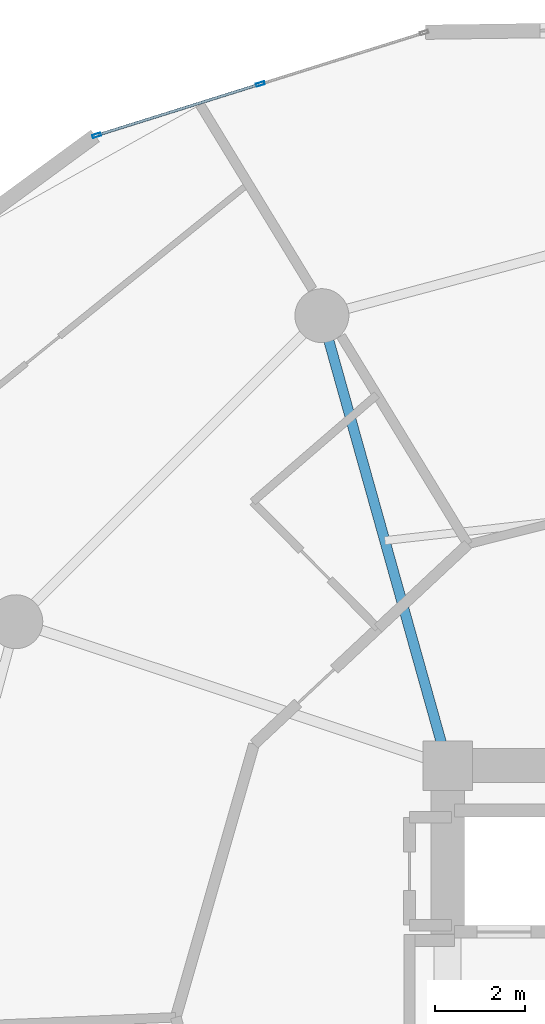
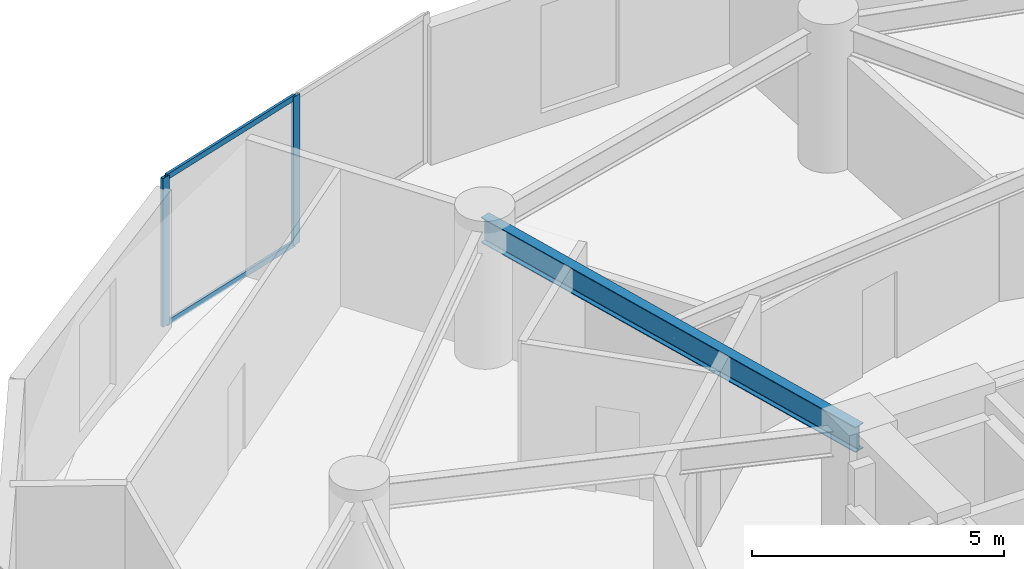
# One storey, part 11 of 22: 4 members, 1 beam, 1 element without a shape of its own.
"""IFC4 building model written with IfcOpenShell, lengths in metres."""

from ifc_helpers import new_model, si_unit, direction, frame, origin, origin_2d, place, context, subcontext, project, spatial, hollow_rectangle, i_section, extrude, source, transform, mapped, material, layer, layer_set, material_profile, profile_set, type_object, element, aggregate, save


model = new_model("IFC4")

# Units and contexts
model_context = context("Model", 3, precision=1e-05, world=origin(), true_north=direction((0.0, 1.0)))
body_context = subcontext(model_context, "Body", "Model", "MODEL_VIEW")
ifc_project = project(units=[si_unit("LENGTHUNIT", "METRE"), si_unit("AREAUNIT", "SQUARE_METRE"), si_unit("VOLUMEUNIT", "CUBIC_METRE"), si_unit("PLANEANGLEUNIT", "RADIAN"), si_unit("MASSUNIT", "GRAM", prefix="KILO")], contexts=[model_context])

# Site, building, storey
site_placement = place(None, origin())
site = spatial("IfcSite", under=ifc_project, at=site_placement, CompositionType="ELEMENT")
building_placement = place(site_placement, origin())
building = spatial("IfcBuilding", under=site, at=building_placement, Name="Solvirekh Grand Hotel", CompositionType="ELEMENT")
storey_placement = place(building_placement, frame((0.0, 0.0, 78.800048828125)))
storey = spatial("IfcBuildingStorey", under=building, at=storey_placement, Name="L19", CompositionType="ELEMENT", Elevation=78.800048828125)

# Beam
ifc_material_1 = material(Name="Steel S355", Category="steel")
ifc_material_profile_1 = material_profile(ifc_material_1, i_section(OverallWidth=0.22802734375, OverallDepth=0.616943359375, WebThickness=0.012939453125, FlangeThickness=0.02001953125, FilletRadius=0.014892578125, at=origin_2d()), Name="W610X140")
ifc_profile_set_1 = profile_set([ifc_material_profile_1], Name="Steel S355")
beam_type = type_object("IfcBeamType", Name="Beam_Radial_W610", PredefinedType="BEAM", material=ifc_profile_set_1)
beam_placement = place(storey_placement, frame((-6.5, 6.10009765625, 3.031982421875), z_axis=(-0.269439084681, 0.963017434757, 0.0), x_axis=(-0.963017434757, -0.269439084681, 0.0)))
element("IfcBeam", 1, at=beam_placement, inside=storey, type_object=beam_type, Name="L19 radial floor beam R05", PredefinedType="BEAM", context=body_context, shape_type="SweptSolid", body=[
    extrude(i_section(OverallWidth=0.22802734375, OverallDepth=0.616943359375, WebThickness=0.012939453125, FlangeThickness=0.02001953125, FilletRadius=0.014892578125, at=origin_2d()), origin(), (0.0, 0.0, 1.0), 10.39208984375),
])

# Curtain wall, members
ifc_material_2 = material(Name="Anodized Bronze Aluminium 6063-T6", Category="aluminium")
ifc_layer = layer(ifc_material_2, 0.18994140625)
ifc_layer_set = layer_set([ifc_layer], Name="Anodized Bronze Aluminium 6063-T6")
curtain_wall_type = type_object("IfcCurtainWallType", Name="CW_Sys2_LowZoneFlushBronzeCW", PredefinedType="NOTDEFINED", material=ifc_layer_set)
curtain_wall_placement = place(storey_placement, origin())
curtain_wall = element("IfcCurtainWall", 2, at=curtain_wall_placement, inside=storey, type_object=curtain_wall_type, Name="L19 unitised bronze-glass curtain wall CW-L19-C08", PredefinedType="NOTDEFINED")
ifc_material_profile_2 = material_profile(ifc_material_2, hollow_rectangle(XDim=0.06005859375, YDim=0.135009765625, WallThickness=0.00390625, at=origin_2d()), Name="ALU RHS 135X60X4")
ifc_profile_set_2 = profile_set([ifc_material_profile_2], Name="Anodized Bronze Aluminium 6063-T6")
member_type_1 = type_object("IfcMemberType", Name="CWTransom_Sys2", PredefinedType="USERDEFINED", material=ifc_profile_set_2)
shared_shape_1 = source(origin(), body_context, "Body", "SweptSolid", [
    extrude(hollow_rectangle(XDim=0.06005859375, YDim=0.135009765625, WallThickness=0.00390625, at=origin_2d()), origin(), (0.0, 0.0, 1.0), 3.74755859375),
])
member_1_placement = place(storey_placement, frame((-10.700439453125, 21.25048828125, 0.030029296875), z_axis=(-0.954161809981, -0.299291230032, 0.0), x_axis=(0.299291230032, -0.954161809981, 0.0)))
member_1 = element("IfcMember", 3, at=member_1_placement, type_object=member_type_1, Name="U02 transom 2.1", ObjectType="TRANSOM", PredefinedType="USERDEFINED", context=body_context, shape_type="MappedRepresentation", body=[
    mapped(shared_shape_1, transform((0.0, 0.0, 0.0), x_axis=(1.0, 0.0, 0.0), y_axis=(0.0, 1.0, 0.0), z_axis=(0.0, 0.0, 1.0), scale=1.0)),
])
member_2_placement = place(storey_placement, frame((-10.700439453125, 21.25048828125, 3.570068359375), z_axis=(-0.954161809981, -0.299291230032, 0.0), x_axis=(0.299291230032, -0.954161809981, 0.0)))
member_2 = element("IfcMember", 4, at=member_2_placement, type_object=member_type_1, Name="U02 transom 2.2", ObjectType="TRANSOM", PredefinedType="USERDEFINED", context=body_context, shape_type="MappedRepresentation", body=[
    mapped(shared_shape_1, transform((0.0, 0.0, 0.0), x_axis=(1.0, 0.0, 0.0), y_axis=(0.0, 1.0, 0.0), z_axis=(0.0, 0.0, 1.0), scale=1.0)),
])
ifc_material_profile_3 = material_profile(ifc_material_2, hollow_rectangle(XDim=0.070068359375, YDim=0.18994140625, WallThickness=0.0048828125, at=origin_2d()), Name="ALU RHS 190X70X5")
ifc_profile_set_3 = profile_set([ifc_material_profile_3], Name="Anodized Bronze Aluminium 6063-T6")
member_type_2 = type_object("IfcMemberType", Name="CWMullion_Sys2", PredefinedType="MULLION", material=ifc_profile_set_3)
shared_shape_2 = source(origin(), body_context, "Body", "SweptSolid", [
    extrude(hollow_rectangle(XDim=0.070068359375, YDim=0.18994140625, WallThickness=0.0048828125, at=origin_2d()), origin(), (0.0, 0.0, 1.0), 3.599853515625),
])
member_3_placement = place(storey_placement, frame((-10.6669921875, 21.260986328125, 0.0), z_axis=(0.0, 0.0, 1.0), x_axis=(0.299279838596, -0.95416538305, 0.0)))
member_3 = element("IfcMember", 5, at=member_3_placement, type_object=member_type_2, Name="U02 mullion 2", PredefinedType="MULLION", context=body_context, shape_type="MappedRepresentation", body=[
    mapped(shared_shape_2, transform((0.0, 0.0, 0.0), x_axis=(1.0, 0.0, 0.0), y_axis=(0.0, 1.0, 0.0), z_axis=(0.0, 0.0, 1.0), scale=1.0)),
])
member_4_placement = place(storey_placement, frame((-14.3095703125, 20.118408203125, 0.0), z_axis=(0.0, 0.0, 1.0), x_axis=(0.299279838596, -0.95416538305, 0.0)))
member_4 = element("IfcMember", 6, at=member_4_placement, type_object=member_type_2, Name="U02 mullion 3", PredefinedType="MULLION", context=body_context, shape_type="MappedRepresentation", body=[
    mapped(shared_shape_2, transform((0.0, 0.0, 0.0), x_axis=(1.0, 0.0, 0.0), y_axis=(0.0, 1.0, 0.0), z_axis=(0.0, 0.0, 1.0), scale=1.0)),
])
aggregate(curtain_wall, [member_3, member_4, member_1, member_2])

save(model, "model.ifc")
